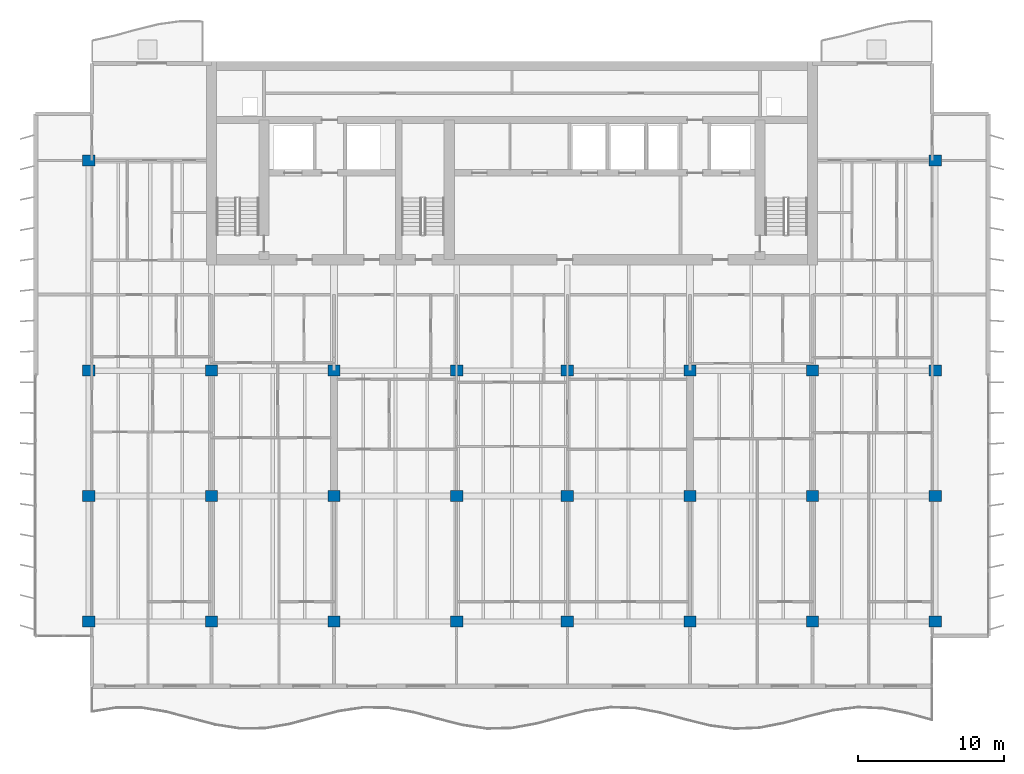
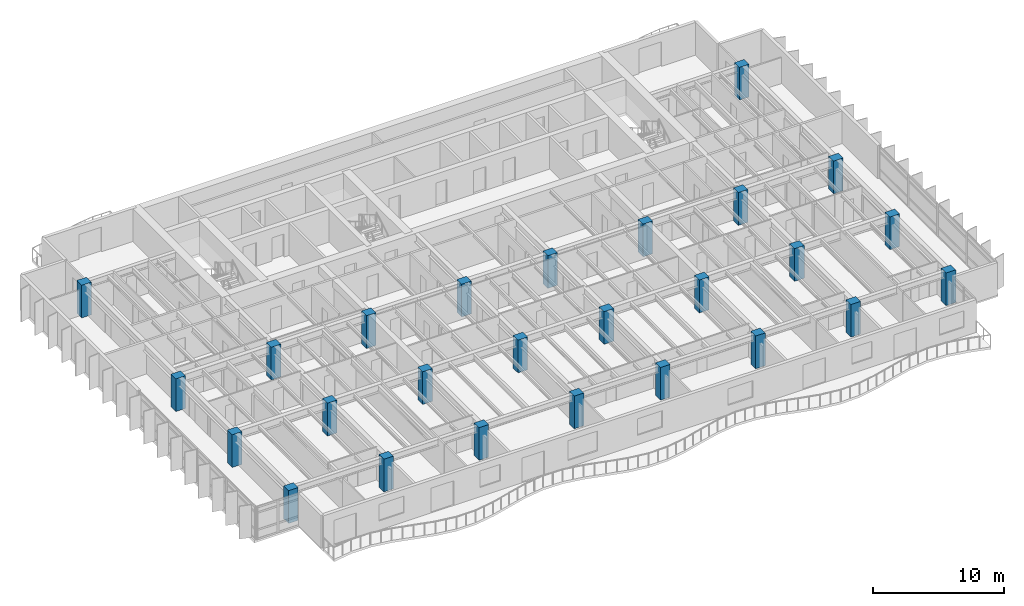
# One storey, part 1 of 18: 26 columns.
"""IFC4 building model written with IfcOpenShell, lengths in metres."""

from ifc_helpers import new_model, si_unit, direction, frame, origin, origin_2d, place, context, subcontext, project, spatial, rectangle, extrude, material, material_profile, profile_set, type_object, element, save


model = new_model("IFC4")

# Units and contexts
model_context = context("Model", 3, precision=1e-05, world=origin(), true_north=direction((0.0, 1.0)))
body_context = subcontext(model_context, "Body", "Model", "MODEL_VIEW")
ifc_project = project(units=[si_unit("LENGTHUNIT", "METRE"), si_unit("AREAUNIT", "SQUARE_METRE"), si_unit("VOLUMEUNIT", "CUBIC_METRE"), si_unit("PLANEANGLEUNIT", "RADIAN"), si_unit("MASSUNIT", "GRAM", prefix="KILO")], contexts=[model_context])

# Site, building, storey
site_placement = place(None, origin())
site = spatial("IfcSite", under=ifc_project, at=site_placement, CompositionType="ELEMENT")
building_placement = place(site_placement, origin())
building = spatial("IfcBuilding", under=site, at=building_placement, Name="Caelmar Bay Residences", CompositionType="ELEMENT")
storey_placement = place(building_placement, frame((0.0, 0.0, 177.0)))
storey = spatial("IfcBuildingStorey", under=building, at=storey_placement, Name="L49", CompositionType="ELEMENT", Elevation=177.0)

# Columns
ifc_material = material(Name="Concrete f'c 55 MPa (8,000 psi)", Category="concrete")
ifc_material_profile = material_profile(ifc_material, rectangle(XDim=0.85009765625, YDim=0.75, at=origin_2d()), Name="RC-COL-850X750")
ifc_profile_set = profile_set([ifc_material_profile], Name="Concrete f'c 55 MPa (8,000 psi)")
column_type = type_object("IfcColumnType", Name="COL-RC-850X750", PredefinedType="COLUMN", material=ifc_profile_set)
for number, where, z_axis, x_axis, name in (
    (1, (9.89990234375, 12.199951171875, 0.0), (0.0, 0.0, 1.0), (1.0, 0.0, 0.0), "L49 Column (9.90,12.20)"),
    (2, (18.300048828125, 12.199951171875, 0.0), (0.0, 0.0, 1.0), (1.0, 0.0, 0.0), "L49 Column (18.30,12.20)"),
    (3, (26.699951171875, 12.199951171875, 0.0), (0.0, 0.0, 1.0), (1.0, 0.0, 0.0), "L49 Column (26.70,12.20)"),
    (4, (35.10009765625, 12.199951171875, 0.0), (0.0, 0.0, 1.0), (1.0, 0.0, 0.0), "L49 Column (35.10,12.20)"),
    (5, (42.699951171875, 12.199951171875, 0.0), (0.0, 0.0, 1.0), (1.0, 0.0, 0.0), "L49 Column (42.70,12.20)"),
    (6, (51.10009765625, 12.199951171875, 0.0), (0.0, 0.0, 1.0), (1.0, 0.0, 0.0), "L49 Column (51.10,12.20)"),
    (7, (59.5, 12.199951171875, 0.0), (0.0, 0.0, 1.0), (1.0, 0.0, 0.0), "L49 Column (59.50,12.20)"),
    (8, (67.89990234375, 12.199951171875, 0.0), (0.0, 0.0, 1.0), (1.0, 0.0, 0.0), "L49 Column (67.90,12.20)"),
    (9, (9.89990234375, 20.800048828125, 0.0), (0.0, 0.0, 1.0), (1.0, 0.0, 0.0), "L49 Column (9.90,20.80)"),
    (10, (18.300048828125, 20.800048828125, 0.0), (0.0, 0.0, 1.0), (1.0, 0.0, 0.0), "L49 Column (18.30,20.80)"),
    (11, (26.699951171875, 20.800048828125, 0.0), (0.0, 0.0, 1.0), (1.0, 0.0, 0.0), "L49 Column (26.70,20.80)"),
    (12, (35.10009765625, 20.800048828125, 0.0), (0.0, 0.0, 1.0), (1.0, 0.0, 0.0), "L49 Column (35.10,20.80)"),
    (13, (42.699951171875, 20.800048828125, 0.0), (0.0, 0.0, 1.0), (1.0, 0.0, 0.0), "L49 Column (42.70,20.80)"),
    (14, (51.10009765625, 20.800048828125, 0.0), (0.0, 0.0, 1.0), (1.0, 0.0, 0.0), "L49 Column (51.10,20.80)"),
    (15, (59.5, 20.800048828125, 0.0), (0.0, 0.0, 1.0), (1.0, 0.0, 0.0), "L49 Column (59.50,20.80)"),
    (16, (67.89990234375, 20.800048828125, 0.0), (0.0, 0.0, 1.0), (1.0, 0.0, 0.0), "L49 Column (67.90,20.80)"),
    (17, (9.89990234375, 29.39990234375, 0.0), (0.0, 0.0, 1.0), (1.0, 0.0, 0.0), "L49 Column (9.90,29.40)"),
    (18, (18.300048828125, 29.39990234375, 0.0), (0.0, 0.0, 1.0), (1.0, 0.0, 0.0), "L49 Column (18.30,29.40)"),
    (19, (26.699951171875, 29.39990234375, 0.0), (0.0, 0.0, 1.0), (1.0, 0.0, 0.0), "L49 Column (26.70,29.40)"),
    (20, (35.10009765625, 29.39990234375, 0.0), (0.0, 0.0, 1.0), (1.0, 0.0, 0.0), "L49 Column (35.10,29.40)"),
    (21, (42.699951171875, 29.39990234375, 0.0), (0.0, 0.0, 1.0), (1.0, 0.0, 0.0), "L49 Column (42.70,29.40)"),
    (22, (51.10009765625, 29.39990234375, 0.0), (0.0, 0.0, 1.0), (1.0, 0.0, 0.0), "L49 Column (51.10,29.40)"),
    (23, (59.5, 29.39990234375, 0.0), (0.0, 0.0, 1.0), (1.0, 0.0, 0.0), "L49 Column (59.50,29.40)"),
    (24, (67.89990234375, 29.39990234375, 0.0), (0.0, 0.0, 1.0), (1.0, 0.0, 0.0), "L49 Column (67.90,29.40)"),
    (25, (9.89990234375, 43.800048828125, 0.0), (0.0, 0.0, 1.0), (1.0, 0.0, 0.0), "L49 Column (9.90,43.80)"),
    (26, (67.89990234375, 43.800048828125, 0.0), (0.0, 0.0, 1.0), (1.0, 0.0, 0.0), "L49 Column (67.90,43.80)"),
):
    element("IfcColumn", number, at=place(storey_placement, frame(where, z_axis=z_axis, x_axis=x_axis)), inside=storey, type_object=column_type, Name=name, PredefinedType="COLUMN", context=body_context, shape_type="SweptSolid", body=[
        extrude(rectangle(XDim=0.85009765625, YDim=0.75, at=origin_2d()), origin(), (0.0, 0.0, 1.0), 3.050048828125),
    ])

save(model, "model.ifc")
